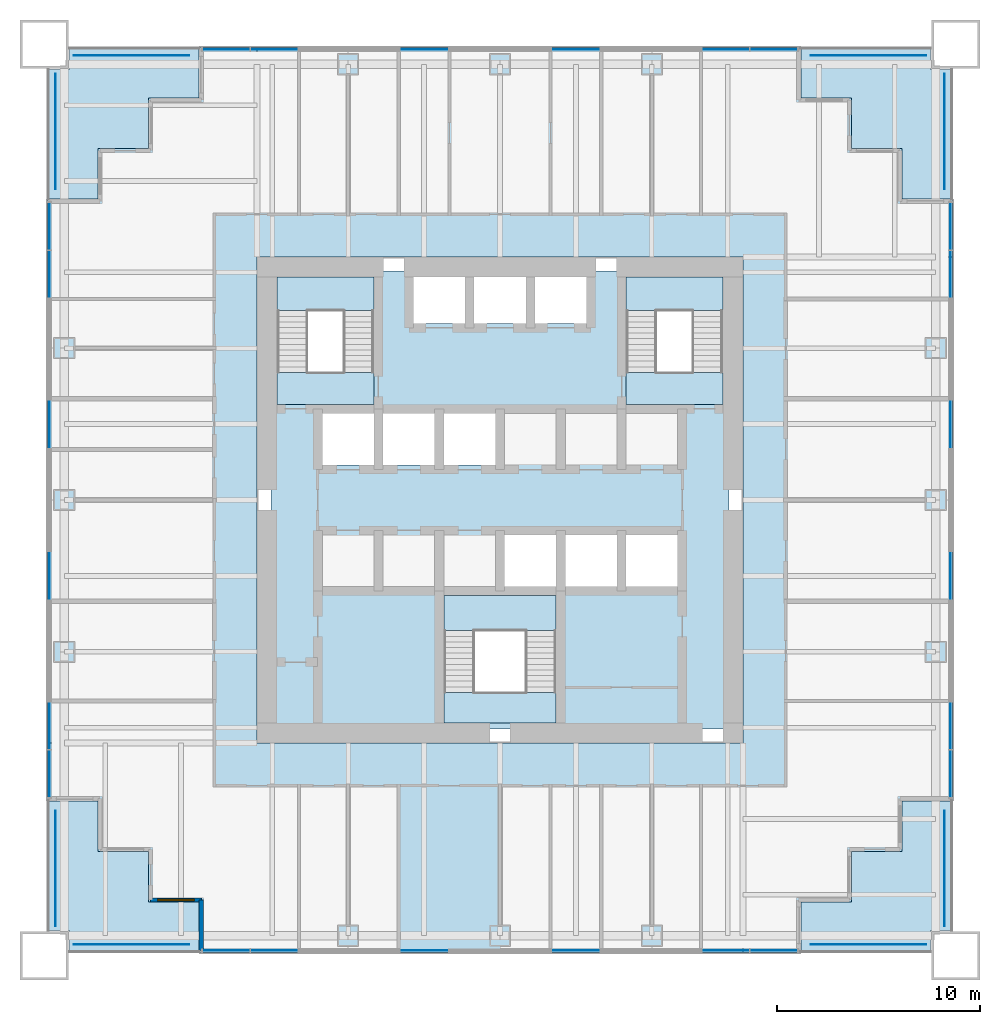
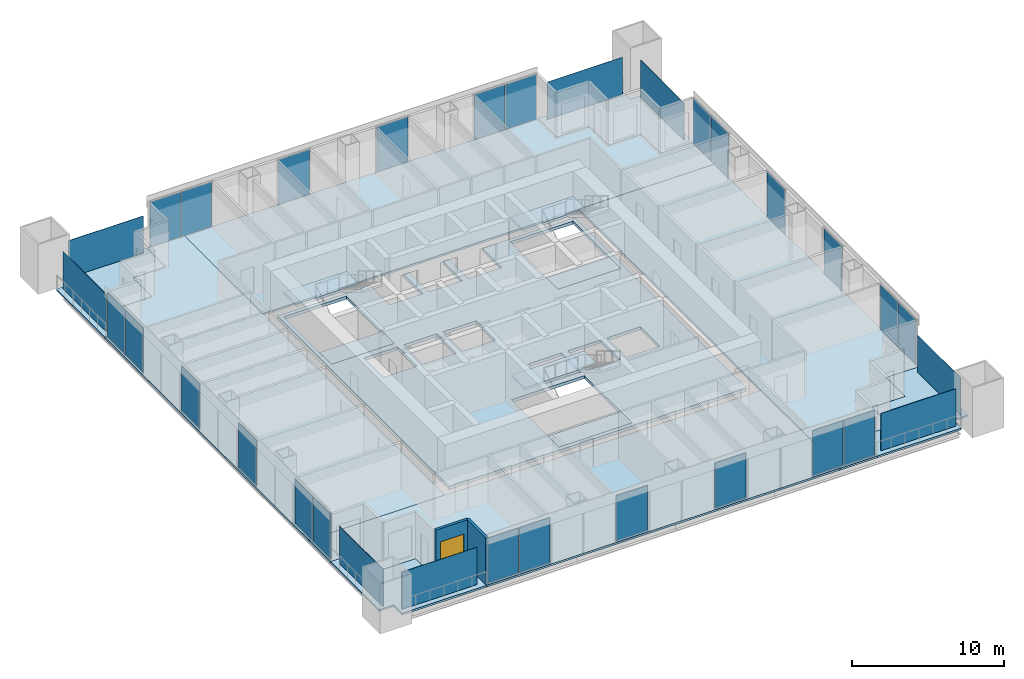
# One storey, part 7 of 14: 32 plates, 15 slabs, 2 walls, 1 window, 1 opening, 19 elements without a shape of their own.
"""IFC4 building model written with IfcOpenShell, lengths in metres."""

from ifc_helpers import new_model, si_unit, direction, frame, frame_2d, origin, origin_2d, place, context, subcontext, project, spatial, polyline, rectangle, outline, extrude, material, layer, layer_set, type_object, element, fill, aggregate, save


model = new_model("IFC4")

# Units and contexts
model_context = context("Model", 3, precision=1e-05, world=origin(), true_north=direction((0.0, 1.0)))
body_context = subcontext(model_context, "Body", "Model", "MODEL_VIEW")
ifc_project = project(units=[si_unit("LENGTHUNIT", "METRE"), si_unit("AREAUNIT", "SQUARE_METRE"), si_unit("VOLUMEUNIT", "CUBIC_METRE"), si_unit("PLANEANGLEUNIT", "RADIAN"), si_unit("MASSUNIT", "GRAM", prefix="KILO")], contexts=[model_context])

# Site, building, storey
site_placement = place(None, origin())
site = spatial("IfcSite", under=ifc_project, at=site_placement, CompositionType="ELEMENT")
building_placement = place(site_placement, origin())
building = spatial("IfcBuilding", under=site, at=building_placement, Name="Tarangal Relay Tower", CompositionType="ELEMENT")
storey_placement = place(building_placement, frame((0.0, 0.0, 249.89990234375)))
storey = spatial("IfcBuildingStorey", under=building, at=storey_placement, Name="L54", CompositionType="ELEMENT", Elevation=249.89990234375)

# Slabs
ifc_material_1 = material(Name="Concrete fc' 35 MPa", Category="concrete")
ifc_layer_1 = layer(ifc_material_1, 0.25)
ifc_layer_set_1 = layer_set([ifc_layer_1], Name="Core floor slab 250")
slab_type_1 = type_object("IfcSlabType", Name="Core floor slab 250", PredefinedType="FLOOR", material=ifc_layer_set_1)
slab_1_placement = place(storey_placement, frame((0.0, 0.0, -0.25)))
element("IfcSlab", 1, at=slab_1_placement, inside=storey, type_object=slab_type_1, Name="Core floor slab L54", PredefinedType="FLOOR", context=body_context, shape_type="SweptSolid", body=[
    extrude(outline(polyline([(11.300048828125, 11.300048828125), (11.300048828125, -11.300048828125), (-11.300048828125, -11.300048828125), (-11.300048828125, 11.300048828125), (-4.27490234375, 11.300048828125), (-4.27490234375, 8.72509765625), (-1.72509765625, 8.72509765625), (-1.72509765625, 11.300048828125), (-1.27490234375, 11.300048828125), (-1.27490234375, 8.72509765625), (1.27490234375, 8.72509765625), (1.27490234375, 11.300048828125), (1.72509765625, 11.300048828125), (1.72509765625, 8.72509765625), (4.27490234375, 8.72509765625), (4.27490234375, 11.300048828125), (11.300048828125, 11.300048828125)]), holes=[polyline([(-6.22509765625, 4.27490234375), (-8.77490234375, 4.27490234375), (-8.77490234375, 1.72509765625), (-6.22509765625, 1.72509765625), (-6.22509765625, 4.27490234375)]), polyline([(-3.22509765625, 1.72509765625), (-3.22509765625, 4.27490234375), (-5.77490234375, 4.27490234375), (-5.77490234375, 1.72509765625), (-3.22509765625, 1.72509765625)]), polyline([(-0.22509765625, 1.72509765625), (-0.22509765625, 4.27490234375), (-2.77490234375, 4.27490234375), (-2.77490234375, 1.72509765625), (-0.22509765625, 1.72509765625)]), polyline([(-6.22509765625, 11.0), (-11.0, 11.0), (-11.0, 4.72509765625), (-6.22509765625, 4.72509765625), (-6.22509765625, 11.0)]), polyline([(2.77490234375, -4.72509765625), (-2.77490234375, -4.72509765625), (-2.77490234375, -11.0), (2.77490234375, -11.0), (2.77490234375, -4.72509765625)]), polyline([(2.77490234375, -4.27490234375), (2.77490234375, -1.72509765625), (0.22509765625, -1.72509765625), (0.22509765625, -4.27490234375), (2.77490234375, -4.27490234375)]), polyline([(5.77490234375, -4.27490234375), (5.77490234375, -1.72509765625), (3.22509765625, -1.72509765625), (3.22509765625, -4.27490234375), (5.77490234375, -4.27490234375)]), polyline([(8.77490234375, -1.72509765625), (6.22509765625, -1.72509765625), (6.22509765625, -4.27490234375), (8.77490234375, -4.27490234375), (8.77490234375, -1.72509765625)]), polyline([(11.0, 4.72509765625), (11.0, 11.0), (6.22509765625, 11.0), (6.22509765625, 4.72509765625), (11.0, 4.72509765625)])]), origin(), (0.0, 0.0, 1.0), 0.25),
])
ifc_layer_2 = layer(ifc_material_1, 0.14990234375)
ifc_layer_set_2 = layer_set([ifc_layer_2], Name="Floor slab 150")
slab_type_2 = type_object("IfcSlabType", Name="Floor slab 150", PredefinedType="FLOOR", material=ifc_layer_set_2)
slab_2_placement = place(storey_placement, frame((0.0, 0.0, -0.14990234375)))
element("IfcSlab", 2, at=slab_2_placement, inside=storey, type_object=slab_type_2, Name="Floor slab FS3 L54 north bay", PredefinedType="FLOOR", context=body_context, shape_type="SweptSolid", body=[
    extrude(outline(polyline([(14.85009765625, 22.35009765625), (14.85009765625, 19.85009765625), (17.35009765625, 19.85009765625), (17.35009765625, 17.35009765625), (19.85009765625, 17.35009765625), (19.85009765625, 14.85009765625), (22.35009765625, 14.85009765625), (22.35009765625, 12.0), (-12.0, 12.0), (-12.0, 22.35009765625), (14.85009765625, 22.35009765625)])), origin(), (0.0, 0.0, 1.0), 0.14990234375),
])
slab_3_placement = place(storey_placement, frame((0.0, 0.0, -0.14990234375)))
element("IfcSlab", 3, at=slab_3_placement, inside=storey, type_object=slab_type_2, Name="Floor slab FS3 L54 east bay", PredefinedType="FLOOR", context=body_context, shape_type="SweptSolid", body=[
    extrude(outline(polyline([(22.35009765625, -14.85009765625), (19.85009765625, -14.85009765625), (19.85009765625, -17.35009765625), (17.35009765625, -17.35009765625), (17.35009765625, -19.85009765625), (14.85009765625, -19.85009765625), (14.85009765625, -22.35009765625), (12.0, -22.35009765625), (12.0, 12.0), (22.35009765625, 12.0), (22.35009765625, -14.85009765625)])), origin(), (0.0, 0.0, 1.0), 0.14990234375),
])
slab_4_placement = place(storey_placement, frame((0.0, 0.0, -0.14990234375)))
element("IfcSlab", 4, at=slab_4_placement, inside=storey, type_object=slab_type_2, Name="Floor slab FS3 L54 south bay", PredefinedType="FLOOR", context=body_context, shape_type="SweptSolid", body=[
    extrude(outline(polyline([(-14.85009765625, -22.35009765625), (-14.85009765625, -19.85009765625), (-17.35009765625, -19.85009765625), (-17.35009765625, -17.35009765625), (-19.85009765625, -17.35009765625), (-19.85009765625, -14.85009765625), (-22.35009765625, -14.85009765625), (-22.35009765625, -12.0), (12.0, -12.0), (12.0, -22.35009765625), (-14.85009765625, -22.35009765625)])), origin(), (0.0, 0.0, 1.0), 0.14990234375),
])
slab_5_placement = place(storey_placement, frame((0.0, 0.0, -0.14990234375)))
element("IfcSlab", 5, at=slab_5_placement, inside=storey, type_object=slab_type_2, Name="Floor slab FS3 L54 west bay", PredefinedType="FLOOR", context=body_context, shape_type="SweptSolid", body=[
    extrude(outline(polyline([(-12.0, 22.35009765625), (-12.0, -12.0), (-22.35009765625, -12.0), (-22.35009765625, 14.85009765625), (-19.85009765625, 14.85009765625), (-19.85009765625, 17.35009765625), (-17.35009765625, 17.35009765625), (-17.35009765625, 19.85009765625), (-14.85009765625, 19.85009765625), (-14.85009765625, 22.35009765625), (-12.0, 22.35009765625)])), origin(), (0.0, 0.0, 1.0), 0.14990234375),
])

# Curtain wall, plates
ifc_material_2 = material(Name="Unitised curtain wall, dark glass and black aluminium", Category="aluminium")
curtain_wall_type = type_object("IfcCurtainWallType", Name="Curtain wall CW-A", PredefinedType="USERDEFINED", material=ifc_material_2)
curtain_wall_1_placement = place(storey_placement, origin())
curtain_wall_1 = element("IfcCurtainWall", 6, at=curtain_wall_1_placement, inside=storey, type_object=curtain_wall_type, Name="Curtain wall CW-A N facade L54", ObjectType="UNITISED CURTAIN WALL", PredefinedType="USERDEFINED")
ifc_material_3 = material(Name="Dark tinted insulated glass unit", Category="glass")
ifc_layer_3 = layer(ifc_material_3, 0.031982421875)
ifc_layer_set_3 = layer_set([ifc_layer_3], Name="Glazed panel CW-A 32")
plate_type_1 = type_object("IfcPlateType", Name="Glazed panel CW-A 32", PredefinedType="CURTAIN_PANEL", material=ifc_layer_set_3)
plate_1_placement = place(storey_placement, frame((-13.525390625, 22.25, 0.06494140625), z_axis=(0.0, 0.0, 1.0), x_axis=(1.0, 0.0, 0.0)))
plate_1 = element("IfcPlate", 7, at=plate_1_placement, type_object=plate_type_1, Name="CW-A panel 1.1", PredefinedType="CURTAIN_PANEL", context=body_context, shape_type="SweptSolid", body=[
    extrude(rectangle(XDim=2.319091796875, YDim=0.031982421875, at=origin_2d()), origin(), (0.0, 0.0, 1.0), 3.6201171875),
])
plate_2_placement = place(storey_placement, frame((-11.141357421875, 22.25, 0.06494140625), z_axis=(0.0, 0.0, 1.0), x_axis=(1.0, 0.0, 0.0)))
plate_2 = element("IfcPlate", 8, at=plate_2_placement, type_object=plate_type_1, Name="CW-A panel 2.1", PredefinedType="CURTAIN_PANEL", context=body_context, shape_type="SweptSolid", body=[
    extrude(rectangle(XDim=2.319091796875, YDim=0.031982421875, at=origin_2d()), origin(), (0.0, 0.0, 1.0), 3.6201171875),
])
aggregate(curtain_wall_1, [plate_1, plate_2])

# Curtain wall, plate
curtain_wall_2_placement = place(storey_placement, origin())
curtain_wall_2 = element("IfcCurtainWall", 9, at=curtain_wall_2_placement, inside=storey, type_object=curtain_wall_type, Name="Curtain wall CW-A N facade L54", ObjectType="UNITISED CURTAIN WALL", PredefinedType="USERDEFINED")
plate_3_placement = place(storey_placement, frame((-3.75, 22.25, 0.06494140625), z_axis=(0.0, 0.0, 1.0), x_axis=(1.0, 0.0, 0.0)))
plate_3 = element("IfcPlate", 10, at=plate_3_placement, type_object=plate_type_1, Name="CW-A panel 1.1", PredefinedType="CURTAIN_PANEL", context=body_context, shape_type="SweptSolid", body=[
    extrude(rectangle(XDim=2.3701171875, YDim=0.031982421875, at=origin_2d()), origin(), (0.0, 0.0, 1.0), 3.6201171875),
])
aggregate(curtain_wall_2, [plate_3])

curtain_wall_3_placement = place(storey_placement, origin())
curtain_wall_3 = element("IfcCurtainWall", 11, at=curtain_wall_3_placement, inside=storey, type_object=curtain_wall_type, Name="Curtain wall CW-A N facade L54", ObjectType="UNITISED CURTAIN WALL", PredefinedType="USERDEFINED")
plate_4_placement = place(storey_placement, frame((3.75, 22.25, 0.06494140625), z_axis=(0.0, 0.0, 1.0), x_axis=(1.0, 0.0, 0.0)))
plate_4 = element("IfcPlate", 12, at=plate_4_placement, type_object=plate_type_1, Name="CW-A panel 1.1", PredefinedType="CURTAIN_PANEL", context=body_context, shape_type="SweptSolid", body=[
    extrude(rectangle(XDim=2.3701171875, YDim=0.031982421875, at=origin_2d()), origin(), (0.0, 0.0, 1.0), 3.6201171875),
])
aggregate(curtain_wall_3, [plate_4])

# Curtain wall, plates
curtain_wall_4_placement = place(storey_placement, origin())
curtain_wall_4 = element("IfcCurtainWall", 13, at=curtain_wall_4_placement, inside=storey, type_object=curtain_wall_type, Name="Curtain wall CW-A N facade L54", ObjectType="UNITISED CURTAIN WALL", PredefinedType="USERDEFINED")
plate_5_placement = place(storey_placement, frame((11.141357421875, 22.25, 0.06494140625), z_axis=(0.0, 0.0, 1.0), x_axis=(1.0, 0.0, 0.0)))
plate_5 = element("IfcPlate", 14, at=plate_5_placement, type_object=plate_type_1, Name="CW-A panel 1.1", PredefinedType="CURTAIN_PANEL", context=body_context, shape_type="SweptSolid", body=[
    extrude(rectangle(XDim=2.319091796875, YDim=0.031982421875, at=origin_2d()), origin(), (0.0, 0.0, 1.0), 3.6201171875),
])
plate_6_placement = place(storey_placement, frame((13.525390625, 22.25, 0.06494140625), z_axis=(0.0, 0.0, 1.0), x_axis=(1.0, 0.0, 0.0)))
plate_6 = element("IfcPlate", 15, at=plate_6_placement, type_object=plate_type_1, Name="CW-A panel 2.1", PredefinedType="CURTAIN_PANEL", context=body_context, shape_type="SweptSolid", body=[
    extrude(rectangle(XDim=2.319091796875, YDim=0.031982421875, at=origin_2d()), origin(), (0.0, 0.0, 1.0), 3.6201171875),
])
aggregate(curtain_wall_4, [plate_5, plate_6])

curtain_wall_5_placement = place(storey_placement, origin())
curtain_wall_5 = element("IfcCurtainWall", 16, at=curtain_wall_5_placement, inside=storey, type_object=curtain_wall_type, Name="Curtain wall CW-A E facade L54", ObjectType="UNITISED CURTAIN WALL", PredefinedType="USERDEFINED")
plate_7_placement = place(storey_placement, frame((22.25, 13.525390625, 0.06494140625), z_axis=(0.0, 0.0, 1.0), x_axis=(0.0, -1.0, 0.0)))
plate_7 = element("IfcPlate", 17, at=plate_7_placement, type_object=plate_type_1, Name="CW-A panel 1.1", PredefinedType="CURTAIN_PANEL", context=body_context, shape_type="SweptSolid", body=[
    extrude(rectangle(XDim=2.319091796875, YDim=0.031982421875, at=origin_2d()), origin(), (0.0, 0.0, 1.0), 3.6201171875),
])
plate_8_placement = place(storey_placement, frame((22.25, 11.141357421875, 0.06494140625), z_axis=(0.0, 0.0, 1.0), x_axis=(0.0, -1.0, 0.0)))
plate_8 = element("IfcPlate", 18, at=plate_8_placement, type_object=plate_type_1, Name="CW-A panel 2.1", PredefinedType="CURTAIN_PANEL", context=body_context, shape_type="SweptSolid", body=[
    extrude(rectangle(XDim=2.319091796875, YDim=0.031982421875, at=origin_2d()), origin(), (0.0, 0.0, 1.0), 3.6201171875),
])
aggregate(curtain_wall_5, [plate_7, plate_8])

# Curtain wall, plate
curtain_wall_6_placement = place(storey_placement, origin())
curtain_wall_6 = element("IfcCurtainWall", 19, at=curtain_wall_6_placement, inside=storey, type_object=curtain_wall_type, Name="Curtain wall CW-A E facade L54", ObjectType="UNITISED CURTAIN WALL", PredefinedType="USERDEFINED")
plate_9_placement = place(storey_placement, frame((22.25, 3.75, 0.06494140625), z_axis=(0.0, 0.0, 1.0), x_axis=(0.0, -1.0, 0.0)))
plate_9 = element("IfcPlate", 20, at=plate_9_placement, type_object=plate_type_1, Name="CW-A panel 1.1", PredefinedType="CURTAIN_PANEL", context=body_context, shape_type="SweptSolid", body=[
    extrude(rectangle(XDim=2.3701171875, YDim=0.031982421875, at=origin_2d()), origin(), (0.0, 0.0, 1.0), 3.6201171875),
])
aggregate(curtain_wall_6, [plate_9])

curtain_wall_7_placement = place(storey_placement, origin())
curtain_wall_7 = element("IfcCurtainWall", 21, at=curtain_wall_7_placement, inside=storey, type_object=curtain_wall_type, Name="Curtain wall CW-A E facade L54", ObjectType="UNITISED CURTAIN WALL", PredefinedType="USERDEFINED")
plate_10_placement = place(storey_placement, frame((22.25, -3.75, 0.06494140625), z_axis=(0.0, 0.0, 1.0), x_axis=(0.0, -1.0, 0.0)))
plate_10 = element("IfcPlate", 22, at=plate_10_placement, type_object=plate_type_1, Name="CW-A panel 1.1", PredefinedType="CURTAIN_PANEL", context=body_context, shape_type="SweptSolid", body=[
    extrude(rectangle(XDim=2.3701171875, YDim=0.031982421875, at=origin_2d()), origin(), (0.0, 0.0, 1.0), 3.6201171875),
])
aggregate(curtain_wall_7, [plate_10])

# Curtain wall, plates
curtain_wall_8_placement = place(storey_placement, origin())
curtain_wall_8 = element("IfcCurtainWall", 23, at=curtain_wall_8_placement, inside=storey, type_object=curtain_wall_type, Name="Curtain wall CW-A E facade L54", ObjectType="UNITISED CURTAIN WALL", PredefinedType="USERDEFINED")
plate_11_placement = place(storey_placement, frame((22.25, -11.141357421875, 0.06494140625), z_axis=(0.0, 0.0, 1.0), x_axis=(0.0, -1.0, 0.0)))
plate_11 = element("IfcPlate", 24, at=plate_11_placement, type_object=plate_type_1, Name="CW-A panel 1.1", PredefinedType="CURTAIN_PANEL", context=body_context, shape_type="SweptSolid", body=[
    extrude(rectangle(XDim=2.319091796875, YDim=0.031982421875, at=origin_2d()), origin(), (0.0, 0.0, 1.0), 3.6201171875),
])
plate_12_placement = place(storey_placement, frame((22.25, -13.525390625, 0.06494140625), z_axis=(0.0, 0.0, 1.0), x_axis=(0.0, -1.0, 0.0)))
plate_12 = element("IfcPlate", 25, at=plate_12_placement, type_object=plate_type_1, Name="CW-A panel 2.1", PredefinedType="CURTAIN_PANEL", context=body_context, shape_type="SweptSolid", body=[
    extrude(rectangle(XDim=2.319091796875, YDim=0.031982421875, at=origin_2d()), origin(), (0.0, 0.0, 1.0), 3.6201171875),
])
aggregate(curtain_wall_8, [plate_11, plate_12])

curtain_wall_9_placement = place(storey_placement, origin())
curtain_wall_9 = element("IfcCurtainWall", 26, at=curtain_wall_9_placement, inside=storey, type_object=curtain_wall_type, Name="Curtain wall CW-A S facade L54", ObjectType="UNITISED CURTAIN WALL", PredefinedType="USERDEFINED")
plate_13_placement = place(storey_placement, frame((13.525390625, -22.25, 0.06494140625), z_axis=(0.0, 0.0, 1.0), x_axis=(-1.0, 0.0, 0.0)))
plate_13 = element("IfcPlate", 27, at=plate_13_placement, type_object=plate_type_1, Name="CW-A panel 1.1", PredefinedType="CURTAIN_PANEL", context=body_context, shape_type="SweptSolid", body=[
    extrude(rectangle(XDim=2.319091796875, YDim=0.031982421875, at=origin_2d()), origin(), (0.0, 0.0, 1.0), 3.6201171875),
])
plate_14_placement = place(storey_placement, frame((11.141357421875, -22.25, 0.06494140625), z_axis=(0.0, 0.0, 1.0), x_axis=(-1.0, 0.0, 0.0)))
plate_14 = element("IfcPlate", 28, at=plate_14_placement, type_object=plate_type_1, Name="CW-A panel 2.1", PredefinedType="CURTAIN_PANEL", context=body_context, shape_type="SweptSolid", body=[
    extrude(rectangle(XDim=2.319091796875, YDim=0.031982421875, at=origin_2d()), origin(), (0.0, 0.0, 1.0), 3.6201171875),
])
aggregate(curtain_wall_9, [plate_13, plate_14])

# Curtain wall, plate
curtain_wall_10_placement = place(storey_placement, origin())
curtain_wall_10 = element("IfcCurtainWall", 29, at=curtain_wall_10_placement, inside=storey, type_object=curtain_wall_type, Name="Curtain wall CW-A S facade L54", ObjectType="UNITISED CURTAIN WALL", PredefinedType="USERDEFINED")
plate_15_placement = place(storey_placement, frame((3.75, -22.25, 0.06494140625), z_axis=(0.0, 0.0, 1.0), x_axis=(-1.0, 0.0, 0.0)))
plate_15 = element("IfcPlate", 30, at=plate_15_placement, type_object=plate_type_1, Name="CW-A panel 1.1", PredefinedType="CURTAIN_PANEL", context=body_context, shape_type="SweptSolid", body=[
    extrude(rectangle(XDim=2.3701171875, YDim=0.031982421875, at=origin_2d()), origin(), (0.0, 0.0, 1.0), 3.6201171875),
])
aggregate(curtain_wall_10, [plate_15])

curtain_wall_11_placement = place(storey_placement, origin())
curtain_wall_11 = element("IfcCurtainWall", 31, at=curtain_wall_11_placement, inside=storey, type_object=curtain_wall_type, Name="Curtain wall CW-A S facade L54", ObjectType="UNITISED CURTAIN WALL", PredefinedType="USERDEFINED")
plate_16_placement = place(storey_placement, frame((-3.75, -22.25, 0.06494140625), z_axis=(0.0, 0.0, 1.0), x_axis=(-1.0, 0.0, 0.0)))
plate_16 = element("IfcPlate", 32, at=plate_16_placement, type_object=plate_type_1, Name="CW-A panel 1.1", PredefinedType="CURTAIN_PANEL", context=body_context, shape_type="SweptSolid", body=[
    extrude(rectangle(XDim=2.3701171875, YDim=0.031982421875, at=origin_2d()), origin(), (0.0, 0.0, 1.0), 3.6201171875),
])
aggregate(curtain_wall_11, [plate_16])

# Curtain wall, plates
curtain_wall_12_placement = place(storey_placement, origin())
curtain_wall_12 = element("IfcCurtainWall", 33, at=curtain_wall_12_placement, inside=storey, type_object=curtain_wall_type, Name="Curtain wall CW-A S facade L54", ObjectType="UNITISED CURTAIN WALL", PredefinedType="USERDEFINED")
plate_17_placement = place(storey_placement, frame((-11.141357421875, -22.25, 0.06494140625), z_axis=(0.0, 0.0, 1.0), x_axis=(-1.0, 0.0, 0.0)))
plate_17 = element("IfcPlate", 34, at=plate_17_placement, type_object=plate_type_1, Name="CW-A panel 1.1", PredefinedType="CURTAIN_PANEL", context=body_context, shape_type="SweptSolid", body=[
    extrude(rectangle(XDim=2.319091796875, YDim=0.031982421875, at=origin_2d()), origin(), (0.0, 0.0, 1.0), 3.6201171875),
])
plate_18_placement = place(storey_placement, frame((-13.525390625, -22.25, 0.06494140625), z_axis=(0.0, 0.0, 1.0), x_axis=(-1.0, 0.0, 0.0)))
plate_18 = element("IfcPlate", 35, at=plate_18_placement, type_object=plate_type_1, Name="CW-A panel 2.1", PredefinedType="CURTAIN_PANEL", context=body_context, shape_type="SweptSolid", body=[
    extrude(rectangle(XDim=2.319091796875, YDim=0.031982421875, at=origin_2d()), origin(), (0.0, 0.0, 1.0), 3.6201171875),
])
aggregate(curtain_wall_12, [plate_17, plate_18])

curtain_wall_13_placement = place(storey_placement, origin())
curtain_wall_13 = element("IfcCurtainWall", 36, at=curtain_wall_13_placement, inside=storey, type_object=curtain_wall_type, Name="Curtain wall CW-A W facade L54", ObjectType="UNITISED CURTAIN WALL", PredefinedType="USERDEFINED")
plate_19_placement = place(storey_placement, frame((-22.25, -13.525390625, 0.06494140625), z_axis=(0.0, 0.0, 1.0), x_axis=(0.0, 1.0, 0.0)))
plate_19 = element("IfcPlate", 37, at=plate_19_placement, type_object=plate_type_1, Name="CW-A panel 1.1", PredefinedType="CURTAIN_PANEL", context=body_context, shape_type="SweptSolid", body=[
    extrude(rectangle(XDim=2.319091796875, YDim=0.031982421875, at=origin_2d()), origin(), (0.0, 0.0, 1.0), 3.6201171875),
])
plate_20_placement = place(storey_placement, frame((-22.25, -11.141357421875, 0.06494140625), z_axis=(0.0, 0.0, 1.0), x_axis=(0.0, 1.0, 0.0)))
plate_20 = element("IfcPlate", 38, at=plate_20_placement, type_object=plate_type_1, Name="CW-A panel 2.1", PredefinedType="CURTAIN_PANEL", context=body_context, shape_type="SweptSolid", body=[
    extrude(rectangle(XDim=2.319091796875, YDim=0.031982421875, at=origin_2d()), origin(), (0.0, 0.0, 1.0), 3.6201171875),
])
aggregate(curtain_wall_13, [plate_19, plate_20])

# Curtain wall, plate
curtain_wall_14_placement = place(storey_placement, origin())
curtain_wall_14 = element("IfcCurtainWall", 39, at=curtain_wall_14_placement, inside=storey, type_object=curtain_wall_type, Name="Curtain wall CW-A W facade L54", ObjectType="UNITISED CURTAIN WALL", PredefinedType="USERDEFINED")
plate_21_placement = place(storey_placement, frame((-22.25, -3.75, 0.06494140625), z_axis=(0.0, 0.0, 1.0), x_axis=(0.0, 1.0, 0.0)))
plate_21 = element("IfcPlate", 40, at=plate_21_placement, type_object=plate_type_1, Name="CW-A panel 1.1", PredefinedType="CURTAIN_PANEL", context=body_context, shape_type="SweptSolid", body=[
    extrude(rectangle(XDim=2.3701171875, YDim=0.031982421875, at=origin_2d()), origin(), (0.0, 0.0, 1.0), 3.6201171875),
])
aggregate(curtain_wall_14, [plate_21])

curtain_wall_15_placement = place(storey_placement, origin())
curtain_wall_15 = element("IfcCurtainWall", 41, at=curtain_wall_15_placement, inside=storey, type_object=curtain_wall_type, Name="Curtain wall CW-A W facade L54", ObjectType="UNITISED CURTAIN WALL", PredefinedType="USERDEFINED")
plate_22_placement = place(storey_placement, frame((-22.25, 3.75, 0.06494140625), z_axis=(0.0, 0.0, 1.0), x_axis=(0.0, 1.0, 0.0)))
plate_22 = element("IfcPlate", 42, at=plate_22_placement, type_object=plate_type_1, Name="CW-A panel 1.1", PredefinedType="CURTAIN_PANEL", context=body_context, shape_type="SweptSolid", body=[
    extrude(rectangle(XDim=2.3701171875, YDim=0.031982421875, at=origin_2d()), origin(), (0.0, 0.0, 1.0), 3.6201171875),
])
aggregate(curtain_wall_15, [plate_22])

# Curtain wall, plates
curtain_wall_16_placement = place(storey_placement, origin())
curtain_wall_16 = element("IfcCurtainWall", 43, at=curtain_wall_16_placement, inside=storey, type_object=curtain_wall_type, Name="Curtain wall CW-A W facade L54", ObjectType="UNITISED CURTAIN WALL", PredefinedType="USERDEFINED")
plate_23_placement = place(storey_placement, frame((-22.25, 11.141357421875, 0.06494140625), z_axis=(0.0, 0.0, 1.0), x_axis=(0.0, 1.0, 0.0)))
plate_23 = element("IfcPlate", 44, at=plate_23_placement, type_object=plate_type_1, Name="CW-A panel 1.1", PredefinedType="CURTAIN_PANEL", context=body_context, shape_type="SweptSolid", body=[
    extrude(rectangle(XDim=2.319091796875, YDim=0.031982421875, at=origin_2d()), origin(), (0.0, 0.0, 1.0), 3.6201171875),
])
plate_24_placement = place(storey_placement, frame((-22.25, 13.525390625, 0.06494140625), z_axis=(0.0, 0.0, 1.0), x_axis=(0.0, 1.0, 0.0)))
plate_24 = element("IfcPlate", 45, at=plate_24_placement, type_object=plate_type_1, Name="CW-A panel 2.1", PredefinedType="CURTAIN_PANEL", context=body_context, shape_type="SweptSolid", body=[
    extrude(rectangle(XDim=2.319091796875, YDim=0.031982421875, at=origin_2d()), origin(), (0.0, 0.0, 1.0), 3.6201171875),
])
aggregate(curtain_wall_16, [plate_23, plate_24])

# Plates
ifc_material_4 = material(Name="Black stainless steel cable trellis with climbing planting", Category="steel")
ifc_layer_4 = layer(ifc_material_4, 0.030029296875)
ifc_layer_set_4 = layer_set([ifc_layer_4], Name="Planted trellis screen")
plate_type_2 = type_object("IfcPlateType", Name="Planted trellis screen", PredefinedType="SHEET", material=ifc_layer_set_4)
for number, where, z_axis, x_axis, name in (
    (46, (21.949951171875, 18.199951171875, 0.0), (0.0, 0.0, 1.0), (0.0, -1.0, 0.0), "Planted trellis SC2 NE L54"),
    (47, (18.199951171875, -21.949951171875, 0.0), (0.0, 0.0, 1.0), (-1.0, 0.0, 0.0), "Planted trellis SC2 SE L54"),
    (48, (-21.949951171875, -18.199951171875, 0.0), (0.0, 0.0, 1.0), (0.0, 1.0, 0.0), "Planted trellis SC2 SW L54"),
    (49, (-18.199951171875, 21.949951171875, 0.0), (0.0, 0.0, 1.0), (1.0, 0.0, 0.0), "Planted trellis SC2 NW L54"),
):
    element("IfcPlate", number, at=place(storey_placement, frame(where, z_axis=z_axis, x_axis=x_axis)), inside=storey, type_object=plate_type_2, Name=name, PredefinedType="SHEET", context=body_context, shape_type="SweptSolid", body=[
        extrude(rectangle(XDim=5.699951171875, YDim=0.030029296875, at=origin_2d()), origin(), (0.0, 0.0, 1.0), 3.0),
    ])

# Stair, slabs
ifc_material_5 = material(Name="Steel ASTM A992 stair flight", Category="steel")
stair_type = type_object("IfcStairType", Name="Core stair 1500", PredefinedType="HALF_TURN_STAIR", material=ifc_material_5)
stair_1_placement = place(storey_placement, origin())
stair_1 = element("IfcStair", 50, at=stair_1_placement, inside=storey, type_object=stair_type, Name="Stair ST-A L54", PredefinedType="HALF_TURN_STAIR")
ifc_layer_5 = layer(ifc_material_1, 0.199951171875)
ifc_layer_set_5 = layer_set([ifc_layer_5], Name="Stair landing 200")
slab_type_3 = type_object("IfcSlabType", Name="Stair landing 200", PredefinedType="LANDING", material=ifc_layer_set_5)
slab_6_placement = place(storey_placement, frame((0.0, 0.0, -0.199951171875)))
slab_6 = element("IfcSlab", 51, at=slab_6_placement, type_object=slab_type_3, Name="ST-A landing 1", PredefinedType="LANDING", context=body_context, shape_type="SweptSolid", body=[
    extrude(outline(polyline([(-11.0, 4.72509765625), (-6.22509765625, 4.72509765625), (-6.22509765625, 6.300048828125), (-11.0, 6.300048828125), (-11.0, 4.72509765625)])), origin(), (0.0, 0.0, 1.0), 0.199951171875),
])
slab_7_placement = place(storey_placement, frame((0.0, 0.0, 1.800048828125)))
slab_7 = element("IfcSlab", 52, at=slab_7_placement, type_object=slab_type_3, Name="ST-A landing 2", PredefinedType="LANDING", context=body_context, shape_type="SweptSolid", body=[
    extrude(outline(polyline([(-11.0, 9.346923828125), (-6.22509765625, 9.346923828125), (-6.22509765625, 11.0), (-11.0, 11.0), (-11.0, 9.346923828125)])), origin(), (0.0, 0.0, 1.0), 0.199951171875),
])
aggregate(stair_1, [slab_6, slab_7])

stair_2_placement = place(storey_placement, origin())
stair_2 = element("IfcStair", 53, at=stair_2_placement, inside=storey, type_object=stair_type, Name="Stair ST-B L54", PredefinedType="HALF_TURN_STAIR")
slab_8_placement = place(storey_placement, frame((0.0, 0.0, -0.199951171875)))
slab_8 = element("IfcSlab", 54, at=slab_8_placement, type_object=slab_type_3, Name="ST-B landing 1", PredefinedType="LANDING", context=body_context, shape_type="SweptSolid", body=[
    extrude(outline(polyline([(6.22509765625, 4.72509765625), (11.0, 4.72509765625), (11.0, 6.300048828125), (6.22509765625, 6.300048828125), (6.22509765625, 4.72509765625)])), origin(), (0.0, 0.0, 1.0), 0.199951171875),
])
slab_9_placement = place(storey_placement, frame((0.0, 0.0, 1.800048828125)))
slab_9 = element("IfcSlab", 55, at=slab_9_placement, type_object=slab_type_3, Name="ST-B landing 2", PredefinedType="LANDING", context=body_context, shape_type="SweptSolid", body=[
    extrude(outline(polyline([(6.22509765625, 9.346923828125), (11.0, 9.346923828125), (11.0, 11.0), (6.22509765625, 11.0), (6.22509765625, 9.346923828125)])), origin(), (0.0, 0.0, 1.0), 0.199951171875),
])
aggregate(stair_2, [slab_8, slab_9])

stair_3_placement = place(storey_placement, origin())
stair_3 = element("IfcStair", 56, at=stair_3_placement, inside=storey, type_object=stair_type, Name="Stair ST-C L54", PredefinedType="HALF_TURN_STAIR")
slab_10_placement = place(storey_placement, frame((0.0, 0.0, -0.199951171875)))
slab_10 = element("IfcSlab", 57, at=slab_10_placement, type_object=slab_type_3, Name="ST-C landing 1", PredefinedType="LANDING", context=body_context, shape_type="SweptSolid", body=[
    extrude(outline(polyline([(-2.77490234375, -11.0), (2.77490234375, -11.0), (2.77490234375, -9.5), (-2.77490234375, -9.5), (-2.77490234375, -11.0)])), origin(), (0.0, 0.0, 1.0), 0.199951171875),
])
slab_11_placement = place(storey_placement, frame((0.0, 0.0, 1.800048828125)))
slab_11 = element("IfcSlab", 58, at=slab_11_placement, type_object=slab_type_3, Name="ST-C landing 2", PredefinedType="LANDING", context=body_context, shape_type="SweptSolid", body=[
    extrude(outline(polyline([(-2.77490234375, -6.452880859375), (2.77490234375, -6.452880859375), (2.77490234375, -4.72509765625), (-2.77490234375, -4.72509765625), (-2.77490234375, -6.452880859375)])), origin(), (0.0, 0.0, 1.0), 0.199951171875),
])
aggregate(stair_3, [slab_10, slab_11])

# Plates
ifc_material_6 = material(Name="Perforated black aluminium screen", Category="aluminium")
ifc_layer_6 = layer(ifc_material_6, 0.02001953125)
ifc_layer_set_6 = layer_set([ifc_layer_6], Name="Terrace screen panel")
plate_type_3 = type_object("IfcPlateType", Name="Terrace screen panel", PredefinedType="SHEET", material=ifc_layer_set_6)
for number, where, z_axis, x_axis, name in (
    (59, (18.199951171875, 21.949951171875, 0.0), (0.0, 0.0, 1.0), (1.0, 0.0, 0.0), "Terrace screen SC1 NE L54"),
    (60, (21.949951171875, -18.199951171875, 0.0), (0.0, 0.0, 1.0), (0.0, -1.0, 0.0), "Terrace screen SC1 SE L54"),
    (61, (-18.199951171875, -21.949951171875, 0.0), (0.0, 0.0, 1.0), (-1.0, 0.0, 0.0), "Terrace screen SC1 SW L54"),
    (62, (-21.949951171875, 18.199951171875, 0.0), (0.0, 0.0, 1.0), (0.0, 1.0, 0.0), "Terrace screen SC1 NW L54"),
):
    element("IfcPlate", number, at=place(storey_placement, frame(where, z_axis=z_axis, x_axis=x_axis)), inside=storey, type_object=plate_type_3, Name=name, PredefinedType="SHEET", context=body_context, shape_type="SweptSolid", body=[
        extrude(rectangle(XDim=5.699951171875, YDim=0.02001953125, at=origin_2d()), origin(), (0.0, 0.0, 1.0), 3.0),
    ])

# Slabs
ifc_layer_7 = layer(ifc_material_1, 0.14990234375)
ifc_layer_set_7 = layer_set([ifc_layer_7], Name="Terrace slab 150")
slab_type_4 = type_object("IfcSlabType", Name="Terrace slab 150", PredefinedType="FLOOR", material=ifc_layer_set_7)
slab_12_placement = place(storey_placement, frame((0.0, 0.0, -0.14990234375)))
element("IfcSlab", 63, at=slab_12_placement, inside=storey, type_object=slab_type_4, Name="Corner terrace NE L54", PredefinedType="FLOOR", context=body_context, shape_type="SweptSolid", body=[
    extrude(outline(polyline([(14.85009765625, 22.35009765625), (14.85009765625, 19.85009765625), (17.35009765625, 19.85009765625), (17.35009765625, 17.35009765625), (19.85009765625, 17.35009765625), (19.85009765625, 14.85009765625), (22.35009765625, 14.85009765625), (22.35009765625, 21.25), (21.25, 21.25), (21.25, 22.35009765625), (14.85009765625, 22.35009765625)])), origin(), (0.0, 0.0, 1.0), 0.14990234375),
])
slab_13_placement = place(storey_placement, frame((0.0, 0.0, -0.14990234375)))
element("IfcSlab", 64, at=slab_13_placement, inside=storey, type_object=slab_type_4, Name="Corner terrace SE L54", PredefinedType="FLOOR", context=body_context, shape_type="SweptSolid", body=[
    extrude(outline(polyline([(22.35009765625, -14.85009765625), (19.85009765625, -14.85009765625), (19.85009765625, -17.35009765625), (17.35009765625, -17.35009765625), (17.35009765625, -19.85009765625), (14.85009765625, -19.85009765625), (14.85009765625, -22.35009765625), (21.25, -22.35009765625), (21.25, -21.25), (22.35009765625, -21.25), (22.35009765625, -14.85009765625)])), origin(), (0.0, 0.0, 1.0), 0.14990234375),
])
slab_14_placement = place(storey_placement, frame((0.0, 0.0, -0.14990234375)))
element("IfcSlab", 65, at=slab_14_placement, inside=storey, type_object=slab_type_4, Name="Corner terrace SW L54", PredefinedType="FLOOR", context=body_context, shape_type="SweptSolid", body=[
    extrude(outline(polyline([(-14.85009765625, -22.35009765625), (-14.85009765625, -19.85009765625), (-17.35009765625, -19.85009765625), (-17.35009765625, -17.35009765625), (-19.85009765625, -17.35009765625), (-19.85009765625, -14.85009765625), (-22.35009765625, -14.85009765625), (-22.35009765625, -21.25), (-21.25, -21.25), (-21.25, -22.35009765625), (-14.85009765625, -22.35009765625)])), origin(), (0.0, 0.0, 1.0), 0.14990234375),
])
slab_15_placement = place(storey_placement, frame((0.0, 0.0, -0.14990234375)))
element("IfcSlab", 66, at=slab_15_placement, inside=storey, type_object=slab_type_4, Name="Corner terrace NW L54", PredefinedType="FLOOR", context=body_context, shape_type="SweptSolid", body=[
    extrude(outline(polyline([(-22.35009765625, 14.85009765625), (-19.85009765625, 14.85009765625), (-19.85009765625, 17.35009765625), (-17.35009765625, 17.35009765625), (-17.35009765625, 19.85009765625), (-14.85009765625, 19.85009765625), (-14.85009765625, 22.35009765625), (-21.25, 22.35009765625), (-21.25, 21.25), (-22.35009765625, 21.25), (-22.35009765625, 14.85009765625)])), origin(), (0.0, 0.0, 1.0), 0.14990234375),
])

# Wall
ifc_material_7 = material(Name="Black metal clad insulated wall", Category="steel")
ifc_layer_8 = layer(ifc_material_7, 0.199951171875)
ifc_layer_set_8 = layer_set([ifc_layer_8], Name="Corner wall metal clad 200")
wall_type = type_object("IfcWallType", Name="Corner wall metal clad 200", PredefinedType="SOLIDWALL", material=ifc_layer_set_8)
wall_1_placement = place(storey_placement, frame((-14.75, -22.25, 0.0), z_axis=(0.0, 0.0, 1.0), x_axis=(0.0, 1.0, 0.0)))
element("IfcWall", 67, at=wall_1_placement, inside=storey, type_object=wall_type, Name="Facade wall S facade L54", PredefinedType="SOLIDWALL", context=body_context, shape_type="SweptSolid", body=[
    extrude(rectangle(XDim=2.5, YDim=0.199951171875, at=frame_2d((1.25, 0.0))), origin(), (0.0, 0.0, 1.0), 3.75),
])

# Wall, opening, window
wall_2_placement = place(storey_placement, frame((-14.75, -19.75, 0.0), z_axis=(0.0, 0.0, 1.0), x_axis=(-1.0, 0.0, 0.0)))
wall_2 = element("IfcWall", 68, at=wall_2_placement, inside=storey, type_object=wall_type, Name="Facade wall S facade L54", PredefinedType="SOLIDWALL", context=body_context, shape_type="SweptSolid", body=[
    extrude(rectangle(XDim=2.5, YDim=0.199951171875, at=frame_2d((1.25, 0.0))), origin(), (0.0, 0.0, 1.0), 3.75),
])
opening_placement = place(wall_2_placement, frame((0.35009765625, 0.0, 0.300048828125)))
opening = element("IfcOpeningElement", 69, at=opening_placement, cuts=wall_2, Name="Opening WN2", PredefinedType="OPENING", context=body_context, shape_type="SweptSolid", body=[
    extrude(rectangle(XDim=1.800048828125, YDim=2.39990234375, at=frame_2d((0.89990234375, 1.199951171875))), frame((0.0, 0.10986328125, 0.0), z_axis=(0.0, -1.0, 0.0), x_axis=(1.0, 0.0, 0.0)), (0.0, 0.0, 1.0), 0.219970703125),
])
ifc_material_8 = material(Name="Dark tinted double glazing in black aluminium frame", Category="aluminium")
window_type = type_object("IfcWindowType", Name="Corner window 1800 x 2400", PartitioningType="SINGLE_PANEL", PredefinedType="WINDOW", material=ifc_material_8)
window_placement = place(opening_placement, origin())
window = element("IfcWindow", 70, at=window_placement, inside=storey, type_object=window_type, Name="Corner window WN2 S facade L54", OverallHeight=2.39990234375, OverallWidth=1.800048828125, PartitioningType="SINGLE_PANEL", PredefinedType="WINDOW", context=body_context, shape_type="SweptSolid", body=[
    extrude(rectangle(XDim=1.800048828125, YDim=2.39990234375, at=frame_2d((0.89990234375, 1.199951171875))), frame((0.0, 0.030029296875, 0.0), z_axis=(0.0, -1.0, 0.0), x_axis=(1.0, 0.0, 0.0)), (0.0, 0.0, 1.0), 0.06005859375),
])
fill(opening, window)

save(model, "model.ifc")
